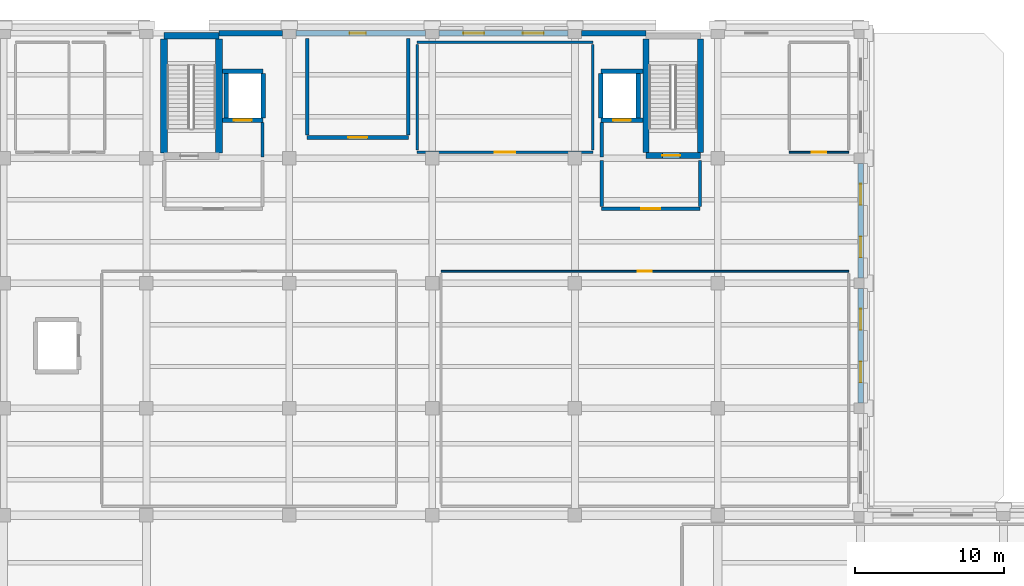
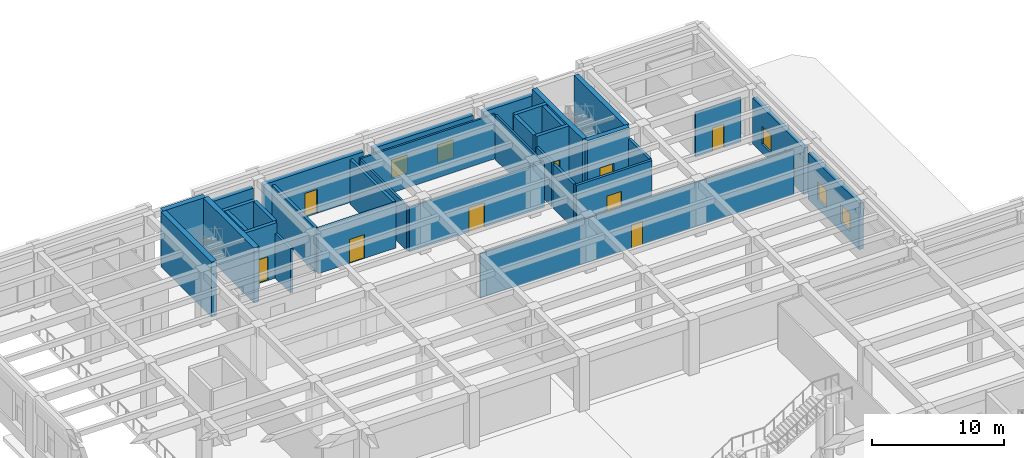
# One storey, part 35 of 51: 34 walls, 9 doors, 6 windows, 15 openings.
"""IFC4 building model written with IfcOpenShell, lengths in metres."""

from ifc_helpers import new_model, si_unit, direction, frame, frame_2d, origin, place, context, subcontext, project, spatial, rectangle, extrude, material, layer, layer_set, type_object, element, fill, save


model = new_model("IFC4")

# Units and contexts
model_context = context("Model", 3, precision=1e-05, world=origin(), true_north=direction((0.0, 1.0)))
body_context = subcontext(model_context, "Body", "Model", "MODEL_VIEW")
ifc_project = project(units=[si_unit("LENGTHUNIT", "METRE"), si_unit("AREAUNIT", "SQUARE_METRE"), si_unit("VOLUMEUNIT", "CUBIC_METRE"), si_unit("PLANEANGLEUNIT", "RADIAN"), si_unit("MASSUNIT", "GRAM", prefix="KILO")], contexts=[model_context])

# Site, building, storey
site_placement = place(None, origin())
site = spatial("IfcSite", under=ifc_project, at=site_placement, CompositionType="ELEMENT")
building_placement = place(site_placement, origin())
building = spatial("IfcBuilding", under=site, at=building_placement, Name="Bempovik Park Faculty of Sciences", CompositionType="ELEMENT")
storey_placement = place(building_placement, origin())
storey = spatial("IfcBuildingStorey", under=building, at=storey_placement, Name="L00", CompositionType="ELEMENT", Elevation=0.0)

# Walls
ifc_material_1 = material(Name="Concrete C40/50", Category="concrete")
ifc_layer_1 = layer(ifc_material_1, 0.449951171875)
ifc_layer_set_1 = layer_set([ifc_layer_1], Name="Concrete C40/50")
wall_type_1 = type_object("IfcWallType", Name="W-15 Wall 450mm", PredefinedType="SHEAR", material=ifc_layer_set_1)
for number, where, z_axis, x_axis, name in (
    (1, (70.77490234375, 111.35009765625, 0.0), (0.0, 0.0, 1.0), (0.0, 1.0, 0.0), "ST-1 L00 Core Shear Wall West"),
    (2, (74.47509765625, 111.35009765625, 0.0), (0.0, 0.0, 1.0), (0.0, 1.0, 0.0), "ST-1 L00 Core Shear Wall East"),
):
    element("IfcWall", number, at=place(storey_placement, frame(where, z_axis=z_axis, x_axis=x_axis)), inside=storey, type_object=wall_type_1, Name=name, PredefinedType="SHEAR", context=body_context, shape_type="SweptSolid", body=[
        extrude(rectangle(XDim=7.6748046875, YDim=0.449951171875, at=frame_2d((3.83740234375, 0.0))), origin(), (0.0, 0.0, 1.0), 5.080078125),
    ])
wall_1_placement = place(storey_placement, frame((70.77490234375, 119.22509765625, 0.0), z_axis=(0.0, 0.0, 1.0), x_axis=(1.0, 0.0, 0.0)))
element("IfcWall", 3, at=wall_1_placement, inside=storey, type_object=wall_type_1, Name="ST-1 L00 Core Shear Wall North", PredefinedType="SHEAR", context=body_context, shape_type="SweptSolid", body=[
    extrude(rectangle(XDim=3.7001953125, YDim=0.449951171875, at=frame_2d((1.85009765625, 0.0))), origin(), (0.0, 0.0, 1.0), 5.080078125),
])

# Wall, opening, door
ifc_material_2 = material(Name="Gypsum acoustic stud assembly")
ifc_layer_2 = layer(ifc_material_2, 0.1201171875)
ifc_layer_set_2 = layer_set([ifc_layer_2], Name="Gypsum acoustic stud assembly")
wall_type_2 = type_object("IfcWallType", Name="W-17 Wall 120mm", PredefinedType="PARTITIONING", material=ifc_layer_set_2)
wall_2_placement = place(storey_placement, frame((89.39990234375, 103.39990234375, 0.0), z_axis=(0.0, 0.0, 1.0), x_axis=(1.0, 0.0, 0.0)))
wall_2 = element("IfcWall", 4, at=wall_2_placement, inside=storey, type_object=wall_type_2, Name="L00 Academic Faculty Administration Suite Partition North", PredefinedType="PARTITIONING", context=body_context, shape_type="SweptSolid", body=[
    extrude(rectangle(XDim=27.400146484375, YDim=0.1201171875, at=frame_2d((13.7001953125, 0.0))), origin(), (0.0, 0.0, 1.0), 4.1201171875),
])
opening_1_placement = place(wall_2_placement, frame((13.22509765625, 0.0, 0.0)))
opening_1 = element("IfcOpeningElement", 5, at=opening_1_placement, cuts=wall_2, Name="Opening D-47", PredefinedType="OPENING", context=body_context, shape_type="SweptSolid", body=[
    extrude(rectangle(XDim=0.949951171875, YDim=2.14990234375, at=frame_2d((0.47509765625, 1.074951171875))), frame((0.0, 0.070068359375, 0.0), z_axis=(0.0, -1.0, 0.0), x_axis=(1.0, 0.0, 0.0)), (0.0, 0.0, 1.0), 0.14013671875),
])
ifc_material_3 = material(Name="West African hardwood finish", Category="wood")
door_type_1 = type_object("IfcDoorType", Name="D-47 Door 950x2150", OperationType="NOTDEFINED", PredefinedType="DOOR", material=ifc_material_3)
door_1_placement = place(opening_1_placement, origin())
door_1 = element("IfcDoor", 6, at=door_1_placement, inside=storey, type_object=door_type_1, Name="L00 Academic Faculty Administration Suite Door", OperationType="SINGLE_SWING_LEFT", OverallHeight=2.14990234375, OverallWidth=0.949951171875, PredefinedType="DOOR", context=body_context, shape_type="SweptSolid", body=[
    extrude(rectangle(XDim=0.949951171875, YDim=2.14990234375, at=frame_2d((0.47509765625, 1.074951171875))), frame((0.0, 0.02490234375, 0.0), z_axis=(0.0, -1.0, 0.0), x_axis=(1.0, 0.0, 0.0)), (0.0, 0.0, 1.0), 0.050048828125),
])
fill(opening_1, door_1)

wall_3_placement = place(storey_placement, frame((112.800048828125, 111.39990234375, 0.0), z_axis=(0.0, 0.0, 1.0), x_axis=(1.0, 0.0, 0.0)))
wall_3 = element("IfcWall", 7, at=wall_3_placement, inside=storey, type_object=wall_type_2, Name="L00 Ground Accessible WC Partition South", PredefinedType="PARTITIONING", context=body_context, shape_type="SweptSolid", body=[
    extrude(rectangle(XDim=4.0, YDim=0.1201171875, at=frame_2d((2.0, 0.0))), origin(), (0.0, 0.0, 1.0), 4.1201171875),
])
opening_2_placement = place(wall_3_placement, frame((1.5, 0.0, 0.0)))
opening_2 = element("IfcOpeningElement", 8, at=opening_2_placement, cuts=wall_3, Name="Opening D-50", PredefinedType="OPENING", context=body_context, shape_type="SweptSolid", body=[
    extrude(rectangle(XDim=1.0, YDim=2.14990234375, at=frame_2d((0.5, 1.074951171875))), frame((0.0, 0.070068359375, 0.0), z_axis=(0.0, -1.0, 0.0), x_axis=(1.0, 0.0, 0.0)), (0.0, 0.0, 1.0), 0.14013671875),
])
door_type_2 = type_object("IfcDoorType", Name="D-50 Door 1000x2150", OperationType="NOTDEFINED", PredefinedType="DOOR", material=ifc_material_3)
door_2_placement = place(opening_2_placement, origin())
door_2 = element("IfcDoor", 9, at=door_2_placement, inside=storey, type_object=door_type_2, Name="L00 Ground Accessible WC Door", OperationType="SINGLE_SWING_RIGHT", OverallHeight=2.14990234375, OverallWidth=1.0, PredefinedType="DOOR", context=body_context, shape_type="SweptSolid", body=[
    extrude(rectangle(XDim=1.0, YDim=2.14990234375, at=frame_2d((0.5, 1.074951171875))), frame((0.0, 0.02490234375, 0.0), z_axis=(0.0, -1.0, 0.0), x_axis=(1.0, 0.0, 0.0)), (0.0, 0.0, 1.0), 0.050048828125),
])
fill(opening_2, door_2)

# Wall
ifc_material_4 = material(Name="Precast concrete C40/50", Category="concrete")
ifc_layer_3 = layer(ifc_material_4, 0.3798828125)
ifc_layer_set_3 = layer_set([ifc_layer_3], Name="Precast concrete C40/50")
wall_type_3 = type_object("IfcWallType", Name="W-27 Wall 380mm", PredefinedType="SOLIDWALL", material=ifc_layer_set_3)
wall_4_placement = place(storey_placement, frame((74.47607421875, 119.39990234375, 0.0), z_axis=(0.0, 0.0, 1.0), x_axis=(1.0, 0.0, 0.0)))
element("IfcWall", 10, at=wall_4_placement, inside=storey, type_object=wall_type_3, Name="L00 Classical Precast Facade Wall EW-L00-5854", PredefinedType="SOLIDWALL", context=body_context, shape_type="SweptSolid", body=[
    extrude(rectangle(XDim=4.27197265625, YDim=0.3798828125, at=frame_2d((2.135986328125, 0.0))), origin(), (0.0, 0.0, 1.0), 4.280029296875),
])

# Wall, opening, door
wall_5_placement = place(storey_placement, frame((79.652099609375, 119.39990234375, 0.0), z_axis=(0.0, 0.0, 1.0), x_axis=(1.0, 0.0, 0.0)))
wall_5 = element("IfcWall", 11, at=wall_5_placement, inside=storey, type_object=wall_type_3, Name="L00 Classical Precast Facade Wall EW-L00-5858", PredefinedType="SOLIDWALL", context=body_context, shape_type="SweptSolid", body=[
    extrude(rectangle(XDim=8.69580078125, YDim=0.3798828125, at=frame_2d((4.347900390625, 0.0))), origin(), (0.0, 0.0, 1.0), 4.280029296875),
])
opening_3_placement = place(wall_5_placement, frame((3.597900390625, 0.0, 0.0)))
opening_3 = element("IfcOpeningElement", 12, at=opening_3_placement, cuts=wall_5, Name="Opening D-32", PredefinedType="OPENING", context=body_context, shape_type="SweptSolid", body=[
    extrude(rectangle(XDim=1.10009765625, YDim=2.199951171875, at=frame_2d((0.550048828125, 1.10009765625))), frame((0.0, 0.199951171875, 0.0), z_axis=(0.0, -1.0, 0.0), x_axis=(1.0, 0.0, 0.0)), (0.0, 0.0, 1.0), 0.39990234375),
])
ifc_material_5 = material(Name="Painted steel S355", Category="steel")
door_type_3 = type_object("IfcDoorType", Name="D-32 Door 1100x2200", OperationType="NOTDEFINED", PredefinedType="DOOR", material=ifc_material_5)
door_3_placement = place(opening_3_placement, origin())
door_3 = element("IfcDoor", 13, at=door_3_placement, inside=storey, type_object=door_type_3, Name="Fire Command Room Direct Street Access Door", OperationType="SINGLE_SWING_RIGHT", OverallHeight=2.199951171875, OverallWidth=1.10009765625, PredefinedType="DOOR", context=body_context, shape_type="SweptSolid", body=[
    extrude(rectangle(XDim=1.10009765625, YDim=2.199951171875, at=frame_2d((0.550048828125, 1.10009765625))), frame((0.0, 0.02490234375, 0.0), z_axis=(0.0, -1.0, 0.0), x_axis=(1.0, 0.0, 0.0)), (0.0, 0.0, 1.0), 0.050048828125),
])
fill(opening_3, door_3)

# Wall, openings, windows
wall_6_placement = place(storey_placement, frame((89.251953125, 119.39990234375, 0.0), z_axis=(0.0, 0.0, 1.0), x_axis=(1.0, 0.0, 0.0)))
wall_6 = element("IfcWall", 14, at=wall_6_placement, inside=storey, type_object=wall_type_3, Name="L00 Classical Precast Facade Wall EW-L00-5862", PredefinedType="SOLIDWALL", context=body_context, shape_type="SweptSolid", body=[
    extrude(rectangle(XDim=8.696044921875, YDim=0.3798828125, at=frame_2d((4.34814453125, 0.0))), origin(), (0.0, 0.0, 1.0), 4.280029296875),
])
opening_4_placement = place(wall_6_placement, frame((1.64794921875, 0.0, 0.85009765625)))
opening_4 = element("IfcOpeningElement", 15, at=opening_4_placement, cuts=wall_6, Name="Opening WN-84", PredefinedType="OPENING", context=body_context, shape_type="SweptSolid", body=[
    extrude(rectangle(XDim=1.39990234375, YDim=1.64990234375, at=frame_2d((0.699951171875, 0.824951171875))), frame((0.0, 0.199951171875, 0.0), z_axis=(0.0, -1.0, 0.0), x_axis=(1.0, 0.0, 0.0)), (0.0, 0.0, 1.0), 0.39990234375),
])
opening_5_placement = place(wall_6_placement, frame((5.648193359375, 0.0, 0.85009765625)))
opening_5 = element("IfcOpeningElement", 16, at=opening_5_placement, cuts=wall_6, Name="Opening WN-84", PredefinedType="OPENING", context=body_context, shape_type="SweptSolid", body=[
    extrude(rectangle(XDim=1.39990234375, YDim=1.64990234375, at=frame_2d((0.699951171875, 0.824951171875))), frame((0.0, 0.199951171875, 0.0), z_axis=(0.0, -1.0, 0.0), x_axis=(1.0, 0.0, 0.0)), (0.0, 0.0, 1.0), 0.39990234375),
])
ifc_material_6 = material(Name="Tempered laminated low-E glass", Category="glass")
window_type = type_object("IfcWindowType", Name="WN-84 Window 1400x1650", PartitioningType="SINGLE_PANEL", PredefinedType="WINDOW", material=ifc_material_6)
window_1_placement = place(opening_4_placement, origin())
window_1 = element("IfcWindow", 17, at=window_1_placement, inside=storey, type_object=window_type, Name="L00 Window EW-L00-5862-1", OverallHeight=1.64990234375, OverallWidth=1.39990234375, PartitioningType="SINGLE_PANEL", PredefinedType="WINDOW", context=body_context, shape_type="SweptSolid", body=[
    extrude(rectangle(XDim=1.39990234375, YDim=1.64990234375, at=frame_2d((0.699951171875, 0.824951171875))), frame((0.0, 0.030029296875, 0.0), z_axis=(0.0, -1.0, 0.0), x_axis=(1.0, 0.0, 0.0)), (0.0, 0.0, 1.0), 0.06005859375),
])
fill(opening_4, window_1)
window_2_placement = place(opening_5_placement, origin())
window_2 = element("IfcWindow", 18, at=window_2_placement, inside=storey, type_object=window_type, Name="L00 Window EW-L00-5862-2", OverallHeight=1.64990234375, OverallWidth=1.39990234375, PartitioningType="SINGLE_PANEL", PredefinedType="WINDOW", context=body_context, shape_type="SweptSolid", body=[
    extrude(rectangle(XDim=1.39990234375, YDim=1.64990234375, at=frame_2d((0.699951171875, 0.824951171875))), frame((0.0, 0.030029296875, 0.0), z_axis=(0.0, -1.0, 0.0), x_axis=(1.0, 0.0, 0.0)), (0.0, 0.0, 1.0), 0.06005859375),
])
fill(opening_5, window_2)

# Wall
wall_7_placement = place(storey_placement, frame((98.85205078125, 119.39990234375, 0.0), z_axis=(0.0, 0.0, 1.0), x_axis=(1.0, 0.0, 0.0)))
element("IfcWall", 19, at=wall_7_placement, inside=storey, type_object=wall_type_3, Name="L00 Classical Precast Facade Wall EW-L00-5872", PredefinedType="SOLIDWALL", context=body_context, shape_type="SweptSolid", body=[
    extrude(rectangle(XDim=4.322021484375, YDim=0.3798828125, at=frame_2d((2.1611328125, 0.0))), origin(), (0.0, 0.0, 1.0), 4.280029296875),
])

# Wall, openings, windows
wall_8_placement = place(storey_placement, frame((117.60009765625, 94.552001953125, 0.0), z_axis=(0.0, 0.0, 1.0), x_axis=(0.0, 1.0, 0.0)))
wall_8 = element("IfcWall", 20, at=wall_8_placement, inside=storey, type_object=wall_type_3, Name="L00 Classical Precast Facade Wall EW-L00-5891", PredefinedType="SOLIDWALL", context=body_context, shape_type="SweptSolid", body=[
    extrude(rectangle(XDim=7.696044921875, YDim=0.3798828125, at=frame_2d((3.84814453125, 0.0))), origin(), (0.0, 0.0, 1.0), 4.280029296875),
])
opening_6_placement = place(wall_8_placement, frame((1.3779296875, 0.0, 0.85009765625)))
opening_6 = element("IfcOpeningElement", 21, at=opening_6_placement, cuts=wall_8, Name="Opening WN-84", PredefinedType="OPENING", context=body_context, shape_type="SweptSolid", body=[
    extrude(rectangle(XDim=1.39990234375, YDim=1.64990234375, at=frame_2d((0.699951171875, 0.824951171875))), frame((0.0, 0.199951171875, 0.0), z_axis=(0.0, -1.0, 0.0), x_axis=(1.0, 0.0, 0.0)), (0.0, 0.0, 1.0), 0.39990234375),
])
opening_7_placement = place(wall_8_placement, frame((4.918212890625, 0.0, 0.85009765625)))
opening_7 = element("IfcOpeningElement", 22, at=opening_7_placement, cuts=wall_8, Name="Opening WN-84", PredefinedType="OPENING", context=body_context, shape_type="SweptSolid", body=[
    extrude(rectangle(XDim=1.39990234375, YDim=1.64990234375, at=frame_2d((0.699951171875, 0.824951171875))), frame((0.0, 0.199951171875, 0.0), z_axis=(0.0, -1.0, 0.0), x_axis=(1.0, 0.0, 0.0)), (0.0, 0.0, 1.0), 0.39990234375),
])
window_3_placement = place(opening_6_placement, origin())
window_3 = element("IfcWindow", 23, at=window_3_placement, inside=storey, type_object=window_type, Name="L00 Window EW-L00-5891-1", OverallHeight=1.64990234375, OverallWidth=1.39990234375, PartitioningType="SINGLE_PANEL", PredefinedType="WINDOW", context=body_context, shape_type="SweptSolid", body=[
    extrude(rectangle(XDim=1.39990234375, YDim=1.64990234375, at=frame_2d((0.699951171875, 0.824951171875))), frame((0.0, 0.030029296875, 0.0), z_axis=(0.0, -1.0, 0.0), x_axis=(1.0, 0.0, 0.0)), (0.0, 0.0, 1.0), 0.06005859375),
])
fill(opening_6, window_3)
window_4_placement = place(opening_7_placement, origin())
window_4 = element("IfcWindow", 24, at=window_4_placement, inside=storey, type_object=window_type, Name="L00 Window EW-L00-5891-2", OverallHeight=1.64990234375, OverallWidth=1.39990234375, PartitioningType="SINGLE_PANEL", PredefinedType="WINDOW", context=body_context, shape_type="SweptSolid", body=[
    extrude(rectangle(XDim=1.39990234375, YDim=1.64990234375, at=frame_2d((0.699951171875, 0.824951171875))), frame((0.0, 0.030029296875, 0.0), z_axis=(0.0, -1.0, 0.0), x_axis=(1.0, 0.0, 0.0)), (0.0, 0.0, 1.0), 0.06005859375),
])
fill(opening_7, window_4)

wall_9_placement = place(storey_placement, frame((117.60009765625, 102.951904296875, 0.0), z_axis=(0.0, 0.0, 1.0), x_axis=(0.0, 1.0, 0.0)))
wall_9 = element("IfcWall", 25, at=wall_9_placement, inside=storey, type_object=wall_type_3, Name="L00 Classical Precast Facade Wall EW-L00-5901", PredefinedType="SOLIDWALL", context=body_context, shape_type="SweptSolid", body=[
    extrude(rectangle(XDim=7.696044921875, YDim=0.3798828125, at=frame_2d((3.84814453125, 0.0))), origin(), (0.0, 0.0, 1.0), 4.280029296875),
])
opening_8_placement = place(wall_9_placement, frame((1.3779296875, 0.0, 0.85009765625)))
opening_8 = element("IfcOpeningElement", 26, at=opening_8_placement, cuts=wall_9, Name="Opening WN-84", PredefinedType="OPENING", context=body_context, shape_type="SweptSolid", body=[
    extrude(rectangle(XDim=1.39990234375, YDim=1.64990234375, at=frame_2d((0.699951171875, 0.824951171875))), frame((0.0, 0.199951171875, 0.0), z_axis=(0.0, -1.0, 0.0), x_axis=(1.0, 0.0, 0.0)), (0.0, 0.0, 1.0), 0.39990234375),
])
opening_9_placement = place(wall_9_placement, frame((4.918212890625, 0.0, 0.85009765625)))
opening_9 = element("IfcOpeningElement", 27, at=opening_9_placement, cuts=wall_9, Name="Opening WN-84", PredefinedType="OPENING", context=body_context, shape_type="SweptSolid", body=[
    extrude(rectangle(XDim=1.39990234375, YDim=1.64990234375, at=frame_2d((0.699951171875, 0.824951171875))), frame((0.0, 0.199951171875, 0.0), z_axis=(0.0, -1.0, 0.0), x_axis=(1.0, 0.0, 0.0)), (0.0, 0.0, 1.0), 0.39990234375),
])
window_5_placement = place(opening_8_placement, origin())
window_5 = element("IfcWindow", 28, at=window_5_placement, inside=storey, type_object=window_type, Name="L00 Window EW-L00-5901-1", OverallHeight=1.64990234375, OverallWidth=1.39990234375, PartitioningType="SINGLE_PANEL", PredefinedType="WINDOW", context=body_context, shape_type="SweptSolid", body=[
    extrude(rectangle(XDim=1.39990234375, YDim=1.64990234375, at=frame_2d((0.699951171875, 0.824951171875))), frame((0.0, 0.030029296875, 0.0), z_axis=(0.0, -1.0, 0.0), x_axis=(1.0, 0.0, 0.0)), (0.0, 0.0, 1.0), 0.06005859375),
])
fill(opening_8, window_5)
window_6_placement = place(opening_9_placement, origin())
window_6 = element("IfcWindow", 29, at=window_6_placement, inside=storey, type_object=window_type, Name="L00 Window EW-L00-5901-2", OverallHeight=1.64990234375, OverallWidth=1.39990234375, PartitioningType="SINGLE_PANEL", PredefinedType="WINDOW", context=body_context, shape_type="SweptSolid", body=[
    extrude(rectangle(XDim=1.39990234375, YDim=1.64990234375, at=frame_2d((0.699951171875, 0.824951171875))), frame((0.0, 0.030029296875, 0.0), z_axis=(0.0, -1.0, 0.0), x_axis=(1.0, 0.0, 0.0)), (0.0, 0.0, 1.0), 0.06005859375),
])
fill(opening_9, window_6)

# Wall, opening, door
ifc_layer_4 = layer(ifc_material_1, 0.300048828125)
ifc_layer_set_4 = layer_set([ifc_layer_4], Name="Concrete C40/50")
wall_type_4 = type_object("IfcWallType", Name="W-31 Wall 300mm", PredefinedType="SHEAR", material=ifc_layer_set_4)
wall_10_placement = place(storey_placement, frame((74.699951171875, 113.550048828125, 0.0), z_axis=(0.0, 0.0, 1.0), x_axis=(1.0, 0.0, 0.0)))
wall_10 = element("IfcWall", 30, at=wall_10_placement, inside=storey, type_object=wall_type_4, Name="Lift LF-1 L00 Shaft Wall South", PredefinedType="SHEAR", context=body_context, shape_type="SweptSolid", body=[
    extrude(rectangle(XDim=2.75, YDim=0.300048828125, at=frame_2d((1.375, 0.0))), origin(), (0.0, 0.0, 1.0), 5.080078125),
])
opening_10_placement = place(wall_10_placement, frame((0.77490234375, 0.0, 0.0)))
opening_10 = element("IfcOpeningElement", 31, at=opening_10_placement, cuts=wall_10, Name="Opening LD-01", PredefinedType="OPENING", context=body_context, shape_type="SweptSolid", body=[
    extrude(rectangle(XDim=1.199951171875, YDim=2.199951171875, at=frame_2d((0.60009765625, 1.10009765625))), frame((0.0, 0.16015625, 0.0), z_axis=(0.0, -1.0, 0.0), x_axis=(1.0, 0.0, 0.0)), (0.0, 0.0, 1.0), 0.320068359375),
])
door_type_4 = type_object("IfcDoorType", Name="LD-01 Door 1200x2200", OperationType="NOTDEFINED", PredefinedType="DOOR", material=ifc_material_5)
door_4_placement = place(opening_10_placement, origin())
door_4 = element("IfcDoor", 32, at=door_4_placement, inside=storey, type_object=door_type_4, Name="Lift LF-1 L00 Sliding Landing Door", OperationType="SLIDING_TO_LEFT", OverallHeight=2.199951171875, OverallWidth=1.199951171875, PredefinedType="DOOR", context=body_context, shape_type="SweptSolid", body=[
    extrude(rectangle(XDim=1.199951171875, YDim=2.199951171875, at=frame_2d((0.60009765625, 1.10009765625))), frame((0.0, 0.02490234375, 0.0), z_axis=(0.0, -1.0, 0.0), x_axis=(1.0, 0.0, 0.0)), (0.0, 0.0, 1.0), 0.050048828125),
])
fill(opening_10, door_4)

# Walls
wall_11_placement = place(storey_placement, frame((74.699951171875, 116.85009765625, 0.0), z_axis=(0.0, 0.0, 1.0), x_axis=(1.0, 0.0, 0.0)))
element("IfcWall", 33, at=wall_11_placement, inside=storey, type_object=wall_type_4, Name="Lift LF-1 L00 Shaft Wall North", PredefinedType="SHEAR", context=body_context, shape_type="SweptSolid", body=[
    extrude(rectangle(XDim=2.75, YDim=0.300048828125, at=frame_2d((1.375, 0.0))), origin(), (0.0, 0.0, 1.0), 5.080078125),
])
for number, where, z_axis, x_axis, name in (
    (34, (74.949951171875, 113.699951171875, 0.0), (0.0, 0.0, 1.0), (0.0, 1.0, 0.0), "Lift LF-1 L00 Shaft Wall West"),
    (35, (77.449951171875, 113.699951171875, 0.0), (0.0, 0.0, 1.0), (0.0, 1.0, 0.0), "Lift LF-1 L00 Shaft Wall East"),
):
    element("IfcWall", number, at=place(storey_placement, frame(where, z_axis=z_axis, x_axis=x_axis)), inside=storey, type_object=wall_type_4, Name=name, PredefinedType="SHEAR", context=body_context, shape_type="SweptSolid", body=[
        extrude(rectangle(XDim=3.0, YDim=0.300048828125, at=frame_2d((1.5, 0.0))), origin(), (0.0, 0.0, 1.0), 5.080078125),
    ])

# Wall, opening, door
wall_12_placement = place(storey_placement, frame((100.14990234375, 113.550048828125, 0.0), z_axis=(0.0, 0.0, 1.0), x_axis=(1.0, 0.0, 0.0)))
wall_12 = element("IfcWall", 36, at=wall_12_placement, inside=storey, type_object=wall_type_4, Name="Lift LF-2 L00 Shaft Wall South", PredefinedType="SHEAR", context=body_context, shape_type="SweptSolid", body=[
    extrude(rectangle(XDim=2.8251953125, YDim=0.300048828125, at=frame_2d((1.41259765625, 0.0))), origin(), (0.0, 0.0, 1.0), 5.080078125),
])
opening_11_placement = place(wall_12_placement, frame((0.8125, 0.0, 0.0)))
opening_11 = element("IfcOpeningElement", 37, at=opening_11_placement, cuts=wall_12, Name="Opening LD-01", PredefinedType="OPENING", context=body_context, shape_type="SweptSolid", body=[
    extrude(rectangle(XDim=1.199951171875, YDim=2.199951171875, at=frame_2d((0.60009765625, 1.10009765625))), frame((0.0, 0.16015625, 0.0), z_axis=(0.0, -1.0, 0.0), x_axis=(1.0, 0.0, 0.0)), (0.0, 0.0, 1.0), 0.320068359375),
])
door_5_placement = place(opening_11_placement, origin())
door_5 = element("IfcDoor", 38, at=door_5_placement, inside=storey, type_object=door_type_4, Name="Lift LF-2 L00 Sliding Landing Door", OperationType="SLIDING_TO_LEFT", OverallHeight=2.199951171875, OverallWidth=1.199951171875, PredefinedType="DOOR", context=body_context, shape_type="SweptSolid", body=[
    extrude(rectangle(XDim=1.199951171875, YDim=2.199951171875, at=frame_2d((0.60009765625, 1.10009765625))), frame((0.0, 0.02490234375, 0.0), z_axis=(0.0, -1.0, 0.0), x_axis=(1.0, 0.0, 0.0)), (0.0, 0.0, 1.0), 0.050048828125),
])
fill(opening_11, door_5)

# Walls
wall_13_placement = place(storey_placement, frame((100.14990234375, 116.85009765625, 0.0), z_axis=(0.0, 0.0, 1.0), x_axis=(1.0, 0.0, 0.0)))
element("IfcWall", 39, at=wall_13_placement, inside=storey, type_object=wall_type_4, Name="Lift LF-2 L00 Shaft Wall North", PredefinedType="SHEAR", context=body_context, shape_type="SweptSolid", body=[
    extrude(rectangle(XDim=2.8251953125, YDim=0.300048828125, at=frame_2d((1.41259765625, 0.0))), origin(), (0.0, 0.0, 1.0), 5.080078125),
])
for number, where, z_axis, x_axis, name in (
    (40, (100.14990234375, 113.699951171875, 0.0), (0.0, 0.0, 1.0), (0.0, 1.0, 0.0), "Lift LF-2 L00 Shaft Wall West"),
    (41, (102.64990234375, 113.699951171875, 0.0), (0.0, 0.0, 1.0), (0.0, 1.0, 0.0), "Lift LF-2 L00 Shaft Wall East"),
):
    element("IfcWall", number, at=place(storey_placement, frame(where, z_axis=z_axis, x_axis=x_axis)), inside=storey, type_object=wall_type_4, Name=name, PredefinedType="SHEAR", context=body_context, shape_type="SweptSolid", body=[
        extrude(rectangle(XDim=3.0, YDim=0.300048828125, at=frame_2d((1.5, 0.0))), origin(), (0.0, 0.0, 1.0), 5.080078125),
    ])

# Wall, opening, door
ifc_material_7 = material(Name="Concrete C35/45", Category="concrete")
ifc_layer_5 = layer(ifc_material_7, 0.25)
ifc_layer_set_5 = layer_set([ifc_layer_5], Name="Concrete C35/45")
wall_type_5 = type_object("IfcWallType", Name="W-32 Wall 250mm", PredefinedType="PARTITIONING", material=ifc_layer_set_5)
wall_14_placement = place(storey_placement, frame((80.39990234375, 112.39990234375, 0.0), z_axis=(0.0, 0.0, 1.0), x_axis=(1.0, 0.0, 0.0)))
wall_14 = element("IfcWall", 42, at=wall_14_placement, inside=storey, type_object=wall_type_5, Name="L00 Fire Command Room Partition South", PredefinedType="PARTITIONING", context=body_context, shape_type="SweptSolid", body=[
    extrude(rectangle(XDim=6.800048828125, YDim=0.25, at=frame_2d((3.39990234375, 0.0))), origin(), (0.0, 0.0, 1.0), 4.1201171875),
])
opening_12_placement = place(wall_14_placement, frame((2.75, 0.0, 0.0)))
opening_12 = element("IfcOpeningElement", 43, at=opening_12_placement, cuts=wall_14, Name="Opening D-38", PredefinedType="OPENING", context=body_context, shape_type="SweptSolid", body=[
    extrude(rectangle(XDim=1.300048828125, YDim=2.199951171875, at=frame_2d((0.64990234375, 1.10009765625))), frame((0.0, 0.135009765625, 0.0), z_axis=(0.0, -1.0, 0.0), x_axis=(1.0, 0.0, 0.0)), (0.0, 0.0, 1.0), 0.27001953125),
])
door_type_5 = type_object("IfcDoorType", Name="D-38 Door 1300x2200", OperationType="NOTDEFINED", PredefinedType="DOOR", material=ifc_material_5)
door_6_placement = place(opening_12_placement, origin())
door_6 = element("IfcDoor", 44, at=door_6_placement, inside=storey, type_object=door_type_5, Name="L00 Fire Command Room Door", OperationType="SINGLE_SWING_RIGHT", OverallHeight=2.199951171875, OverallWidth=1.300048828125, PredefinedType="DOOR", context=body_context, shape_type="SweptSolid", body=[
    extrude(rectangle(XDim=1.300048828125, YDim=2.199951171875, at=frame_2d((0.64990234375, 1.10009765625))), frame((0.0, 0.02490234375, 0.0), z_axis=(0.0, -1.0, 0.0), x_axis=(1.0, 0.0, 0.0)), (0.0, 0.0, 1.0), 0.050048828125),
])
fill(opening_12, door_6)

# Walls
for number, where, z_axis, x_axis, name in (
    (45, (80.39990234375, 112.56005859375, 0.0), (0.0, 0.0, 1.0), (0.0, 1.0, 0.0), "L00 Fire Command Room Partition West"),
    (46, (87.199951171875, 112.56005859375, 0.0), (0.0, 0.0, 1.0), (0.0, 1.0, 0.0), "L00 Fire Command Room Partition East"),
):
    element("IfcWall", number, at=place(storey_placement, frame(where, z_axis=z_axis, x_axis=x_axis)), inside=storey, type_object=wall_type_5, Name=name, PredefinedType="PARTITIONING", context=body_context, shape_type="SweptSolid", body=[
        extrude(rectangle(XDim=6.47998046875, YDim=0.25, at=frame_2d((3.239990234375, 0.0))), origin(), (0.0, 0.0, 1.0), 4.1201171875),
    ])
ifc_layer_6 = layer(ifc_material_7, 0.219970703125)
ifc_layer_set_6 = layer_set([ifc_layer_6], Name="Concrete C35/45")
wall_type_6 = type_object("IfcWallType", Name="W-38 Wall 220mm", PredefinedType="PARTITIONING", material=ifc_layer_set_6)
wall_15_placement = place(storey_placement, frame((77.39990234375, 111.080078125, 0.0), z_axis=(0.0, 0.0, 1.0), x_axis=(0.0, 1.0, 0.0)))
element("IfcWall", 47, at=wall_15_placement, inside=storey, type_object=wall_type_6, Name="L00 Firefighting Lobby West Lift Link Wall", PredefinedType="PARTITIONING", context=body_context, shape_type="SweptSolid", body=[
    extrude(rectangle(XDim=2.31982421875, YDim=0.219970703125, at=frame_2d((1.159912109375, 0.0))), origin(), (0.0, 0.0, 1.0), 4.1201171875),
])

# Wall, opening, door
wall_16_placement = place(storey_placement, frame((100.199951171875, 107.60009765625, 0.0), z_axis=(0.0, 0.0, 1.0), x_axis=(1.0, 0.0, 0.0)))
wall_16 = element("IfcWall", 48, at=wall_16_placement, inside=storey, type_object=wall_type_6, Name="L00 Firefighting Lift Lobby East Partition South", PredefinedType="PARTITIONING", context=body_context, shape_type="SweptSolid", body=[
    extrude(rectangle(XDim=6.60009765625, YDim=0.219970703125, at=frame_2d((3.300048828125, 0.0))), origin(), (0.0, 0.0, 1.0), 4.1201171875),
])
opening_13_placement = place(wall_16_placement, frame((2.64990234375, 0.0, 0.0)))
opening_13 = element("IfcOpeningElement", 49, at=opening_13_placement, cuts=wall_16, Name="Opening D-38", PredefinedType="OPENING", context=body_context, shape_type="SweptSolid", body=[
    extrude(rectangle(XDim=1.300048828125, YDim=2.199951171875, at=frame_2d((0.64990234375, 1.10009765625))), frame((0.0, 0.1201171875, 0.0), z_axis=(0.0, -1.0, 0.0), x_axis=(1.0, 0.0, 0.0)), (0.0, 0.0, 1.0), 0.239990234375),
])
door_7_placement = place(opening_13_placement, origin())
door_7 = element("IfcDoor", 50, at=door_7_placement, inside=storey, type_object=door_type_5, Name="L00 Firefighting Lift Lobby East Door", OperationType="SINGLE_SWING_LEFT", OverallHeight=2.199951171875, OverallWidth=1.300048828125, PredefinedType="DOOR", context=body_context, shape_type="SweptSolid", body=[
    extrude(rectangle(XDim=1.300048828125, YDim=2.199951171875, at=frame_2d((0.64990234375, 1.10009765625))), frame((0.0, 0.02490234375, 0.0), z_axis=(0.0, -1.0, 0.0), x_axis=(1.0, 0.0, 0.0)), (0.0, 0.0, 1.0), 0.050048828125),
])
fill(opening_13, door_7)

# Walls
wall_17_placement = place(storey_placement, frame((100.199951171875, 111.080078125, 0.0), z_axis=(0.0, 0.0, 1.0), x_axis=(0.0, 1.0, 0.0)))
element("IfcWall", 51, at=wall_17_placement, inside=storey, type_object=wall_type_6, Name="L00 Firefighting Lobby East Lift Link Wall", PredefinedType="PARTITIONING", context=body_context, shape_type="SweptSolid", body=[
    extrude(rectangle(XDim=2.31982421875, YDim=0.219970703125, at=frame_2d((1.159912109375, 0.0))), origin(), (0.0, 0.0, 1.0), 4.1201171875),
])
for number, where, z_axis, x_axis, name in (
    (52, (100.199951171875, 107.760009765625, 0.0), (0.0, 0.0, 1.0), (0.0, 1.0, 0.0), "L00 Firefighting Lift Lobby East Partition West"),
    (53, (106.800048828125, 107.760009765625, 0.0), (0.0, 0.0, 1.0), (0.0, 1.0, 0.0), "L00 Firefighting Lift Lobby East Partition East"),
):
    element("IfcWall", number, at=place(storey_placement, frame(where, z_axis=z_axis, x_axis=x_axis)), inside=storey, type_object=wall_type_6, Name=name, PredefinedType="PARTITIONING", context=body_context, shape_type="SweptSolid", body=[
        extrude(rectangle(XDim=3.080078125, YDim=0.219970703125, at=frame_2d((1.5400390625, 0.0))), origin(), (0.0, 0.0, 1.0), 4.1201171875),
    ])

# Wall, opening, door
ifc_layer_7 = layer(ifc_material_1, 0.39990234375)
ifc_layer_set_7 = layer_set([ifc_layer_7], Name="Concrete C40/50")
wall_type_7 = type_object("IfcWallType", Name="W-47 Wall 400mm", PredefinedType="SHEAR", material=ifc_layer_set_7)
wall_18_placement = place(storey_placement, frame((103.175048828125, 111.175048828125, 0.0), z_axis=(0.0, 0.0, 1.0), x_axis=(1.0, 0.0, 0.0)))
wall_18 = element("IfcWall", 54, at=wall_18_placement, inside=storey, type_object=wall_type_7, Name="ST-2 L00 Core Shear Wall South", PredefinedType="SHEAR", context=body_context, shape_type="SweptSolid", body=[
    extrude(rectangle(XDim=3.64990234375, YDim=0.39990234375, at=frame_2d((1.824951171875, 0.0))), origin(), (0.0, 0.0, 1.0), 5.080078125),
])
opening_14_placement = place(wall_18_placement, frame((1.10009765625, 0.0, 0.0)))
opening_14 = element("IfcOpeningElement", 55, at=opening_14_placement, cuts=wall_18, Name="Opening D-49", PredefinedType="OPENING", context=body_context, shape_type="SweptSolid", body=[
    extrude(rectangle(XDim=1.199951171875, YDim=2.199951171875, at=frame_2d((0.60009765625, 1.10009765625))), frame((0.0, 0.2099609375, 0.0), z_axis=(0.0, -1.0, 0.0), x_axis=(1.0, 0.0, 0.0)), (0.0, 0.0, 1.0), 0.419921875),
])
door_type_6 = type_object("IfcDoorType", Name="D-49 Door 1200x2200", OperationType="NOTDEFINED", PredefinedType="DOOR", material=ifc_material_5)
door_8_placement = place(opening_14_placement, origin())
door_8 = element("IfcDoor", 56, at=door_8_placement, inside=storey, type_object=door_type_6, Name="ST-2 L00 Protected Stair Smoke Door", OperationType="SINGLE_SWING_RIGHT", OverallHeight=2.199951171875, OverallWidth=1.199951171875, PredefinedType="DOOR", context=body_context, shape_type="SweptSolid", body=[
    extrude(rectangle(XDim=1.199951171875, YDim=2.199951171875, at=frame_2d((0.60009765625, 1.10009765625))), frame((0.0, 0.02490234375, 0.0), z_axis=(0.0, -1.0, 0.0), x_axis=(1.0, 0.0, 0.0)), (0.0, 0.0, 1.0), 0.050048828125),
])
fill(opening_14, door_8)

# Walls
for number, where, z_axis, x_axis, name in (
    (57, (103.175048828125, 111.375, 0.0), (0.0, 0.0, 1.0), (0.0, 1.0, 0.0), "ST-2 L00 Core Shear Wall West"),
    (58, (106.824951171875, 111.375, 0.0), (0.0, 0.0, 1.0), (0.0, 1.0, 0.0), "ST-2 L00 Core Shear Wall East"),
):
    element("IfcWall", number, at=place(storey_placement, frame(where, z_axis=z_axis, x_axis=x_axis)), inside=storey, type_object=wall_type_7, Name=name, PredefinedType="SHEAR", context=body_context, shape_type="SweptSolid", body=[
        extrude(rectangle(XDim=7.625, YDim=0.39990234375, at=frame_2d((3.8125, 0.0))), origin(), (0.0, 0.0, 1.0), 5.080078125),
    ])

# Wall, opening, door
ifc_layer_8 = layer(ifc_material_7, 0.169921875)
ifc_layer_set_8 = layer_set([ifc_layer_8], Name="Concrete C35/45")
wall_type_8 = type_object("IfcWallType", Name="W-50 Wall 170mm", PredefinedType="PARTITIONING", material=ifc_layer_set_8)
wall_19_placement = place(storey_placement, frame((87.800048828125, 111.39990234375, 0.0), z_axis=(0.0, 0.0, 1.0), x_axis=(1.0, 0.0, 0.0)))
wall_19 = element("IfcWall", 59, at=wall_19_placement, inside=storey, type_object=wall_type_8, Name="L00 Natural History Specimen Archive Partition South", PredefinedType="PARTITIONING", context=body_context, shape_type="SweptSolid", body=[
    extrude(rectangle(XDim=11.800048828125, YDim=0.169921875, at=frame_2d((5.89990234375, 0.0))), origin(), (0.0, 0.0, 1.0), 4.1201171875),
])
opening_15_placement = place(wall_19_placement, frame((5.22509765625, 0.0, 0.0)))
opening_15 = element("IfcOpeningElement", 60, at=opening_15_placement, cuts=wall_19, Name="Opening D-69", PredefinedType="OPENING", context=body_context, shape_type="SweptSolid", body=[
    extrude(rectangle(XDim=1.35009765625, YDim=2.25, at=frame_2d((0.675048828125, 1.125))), frame((0.0, 0.094970703125, 0.0), z_axis=(0.0, -1.0, 0.0), x_axis=(1.0, 0.0, 0.0)), (0.0, 0.0, 1.0), 0.18994140625),
])
door_type_7 = type_object("IfcDoorType", Name="D-69 Door 1350x2250", OperationType="NOTDEFINED", PredefinedType="DOOR", material=ifc_material_3)
door_9_placement = place(opening_15_placement, origin())
door_9 = element("IfcDoor", 61, at=door_9_placement, inside=storey, type_object=door_type_7, Name="L00 Natural History Specimen Archive Door", OperationType="SINGLE_SWING_LEFT", OverallHeight=2.25, OverallWidth=1.35009765625, PredefinedType="DOOR", context=body_context, shape_type="SweptSolid", body=[
    extrude(rectangle(XDim=1.35009765625, YDim=2.25, at=frame_2d((0.675048828125, 1.125))), frame((0.0, 0.02490234375, 0.0), z_axis=(0.0, -1.0, 0.0), x_axis=(1.0, 0.0, 0.0)), (0.0, 0.0, 1.0), 0.050048828125),
])
fill(opening_15, door_9)

# Walls
wall_20_placement = place(storey_placement, frame((87.800048828125, 118.800048828125, 0.0), z_axis=(0.0, 0.0, 1.0), x_axis=(1.0, 0.0, 0.0)))
element("IfcWall", 62, at=wall_20_placement, inside=storey, type_object=wall_type_8, Name="L00 Natural History Specimen Archive Partition North", PredefinedType="PARTITIONING", context=body_context, shape_type="SweptSolid", body=[
    extrude(rectangle(XDim=11.800048828125, YDim=0.169921875, at=frame_2d((5.89990234375, 0.0))), origin(), (0.0, 0.0, 1.0), 4.1201171875),
])
for number, where, z_axis, x_axis, name in (
    (63, (87.800048828125, 111.56005859375, 0.0), (0.0, 0.0, 1.0), (0.0, 1.0, 0.0), "L00 Natural History Specimen Archive Partition West"),
    (64, (99.60009765625, 111.56005859375, 0.0), (0.0, 0.0, 1.0), (0.0, 1.0, 0.0), "L00 Natural History Specimen Archive Partition East"),
):
    element("IfcWall", number, at=place(storey_placement, frame(where, z_axis=z_axis, x_axis=x_axis)), inside=storey, type_object=wall_type_8, Name=name, PredefinedType="PARTITIONING", context=body_context, shape_type="SweptSolid", body=[
        extrude(rectangle(XDim=7.079833984375, YDim=0.169921875, at=frame_2d((3.5400390625, 0.0))), origin(), (0.0, 0.0, 1.0), 4.1201171875),
    ])

save(model, "model.ifc")
